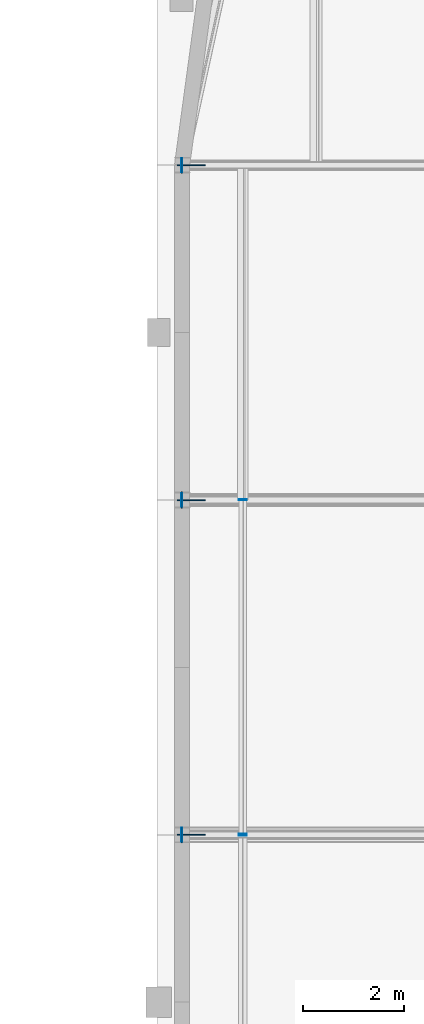
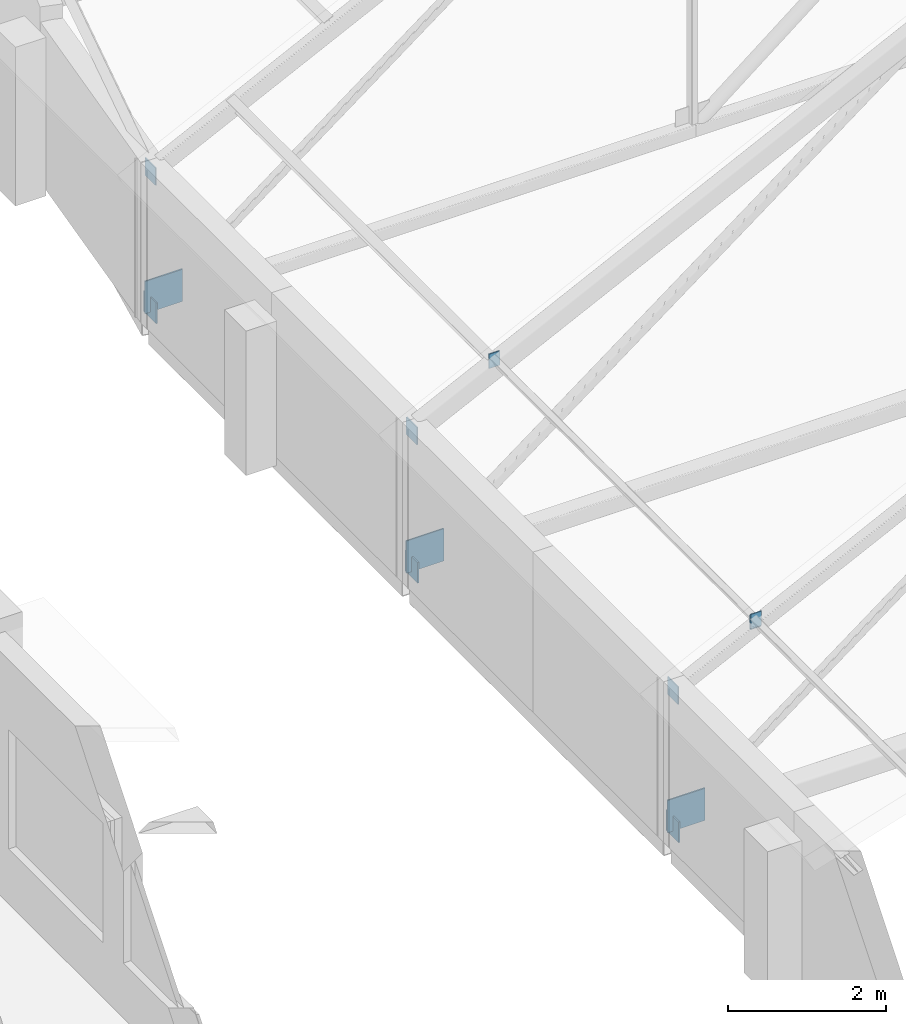
# One storey, part 49 of 78: 12 plates.
"""IFC4 building model written with IfcOpenShell, lengths in metres."""

import ifcopenshell
import ifcopenshell.guid

model = None  # the IFC model being written
_history = None  # IfcOwnerHistory: only IFC2X3 demands one
_inside = {}  # id of a spatial element -> (the spatial element, [elements in it])
_under = {}  # id of a project, library or spatial element -> (it, [spatial elements below it])
_declared = {}  # id of a project -> (the project, [libraries it declares])
_typed = {}  # id of a type object -> (the type object, [elements of that type])
_made_of = {}  # id of a material, layer set ... -> (it, [elements and type objects made of it])


def new_model(schema):
    """Start an empty IFC model of exactly this schema.

    Asked for "IFC4X3", IfcOpenShell would pick the latest addendum, in which some entities
    have other attributes; the version numbers below select the first issue.
    IFC2X3 requires an IfcOwnerHistory on every rooted entity: one is made here for all.
    """
    global model, _history
    if schema == "IFC4X3":
        model = ifcopenshell.file(schema_version=(4, 3, 0, 0))
    else:
        model = ifcopenshell.file(schema=schema)
    _inside.clear()
    _under.clear()
    _declared.clear()
    _typed.clear()
    _made_of.clear()
    _history = None
    if model.schema == "IFC2X3":
        org = make("IfcOrganization", Name="unknown")
        user = make(
            "IfcPersonAndOrganization",
            ThePerson=make("IfcPerson", FamilyName="unknown"),
            TheOrganization=org,
        )
        app = make(
            "IfcApplication",
            ApplicationDeveloper=org,
            Version="unknown",
            ApplicationFullName="unknown",
            ApplicationIdentifier="unknown",
        )
        _history = make(
            "IfcOwnerHistory",
            OwningUser=user,
            OwningApplication=app,
            ChangeAction="ADDED",
            CreationDate=0,
        )
    return model


def make(cls, **values):
    """One entity of the class cls with the attributes given. An attribute that is None is left unset."""
    return model.create_entity(
        cls, **{name: value for name, value in values.items() if value is not None}
    )


def rooted(cls, **values):
    """An entity with a GlobalId (a new one), such as an element, a storey or a relation."""
    return make(cls, GlobalId=ifcopenshell.guid.new(), OwnerHistory=_history, **values)


def si_unit(unit_type, name, prefix=None):
    """IfcSIUnit, for example si_unit("LENGTHUNIT", "METRE", prefix="MILLI")."""
    return make("IfcSIUnit", UnitType=unit_type, Prefix=prefix, Name=name)


def assignment(units):
    """IfcUnitAssignment: the units of a project."""
    return None if units is None else make("IfcUnitAssignment", Units=units)


def point(xyz):
    """IfcCartesianPoint."""
    return None if xyz is None else make("IfcCartesianPoint", Coordinates=xyz)


def direction(xyz):
    """IfcDirection."""
    return None if xyz is None else make("IfcDirection", DirectionRatios=xyz)


def frame(location, z_axis=None, x_axis=None):
    """IfcAxis2Placement3D, a coordinate frame: its origin and axes. An axis left out is left unset."""
    return make(
        "IfcAxis2Placement3D",
        Location=point(location),
        Axis=direction(z_axis),
        RefDirection=direction(x_axis),
    )


def frame_2d(location, x_axis=None):
    """IfcAxis2Placement2D, a coordinate frame in the plane: its origin and x axis."""
    return make(
        "IfcAxis2Placement2D", Location=point(location), RefDirection=direction(x_axis)
    )


def origin():
    """The frame at (0, 0, 0) with its axes left unset."""
    return frame((0.0, 0.0, 0.0))


def origin_2d():
    """The frame at (0, 0) in the plane with its x axis left unset."""
    return frame_2d((0.0, 0.0))


def place(relative_to, where):
    """IfcLocalPlacement: puts the frame where relative to a parent placement (None: the world)."""
    return make(
        "IfcLocalPlacement", PlacementRelTo=relative_to, RelativePlacement=where
    )


def context(
    kind, dimensions, precision=None, world=None, true_north=None, identifier=None
):
    """IfcGeometricRepresentationContext, for example the 3D "Model" context."""
    return make(
        "IfcGeometricRepresentationContext",
        ContextIdentifier=identifier,
        ContextType=kind,
        CoordinateSpaceDimension=dimensions,
        Precision=precision,
        WorldCoordinateSystem=world,
        TrueNorth=true_north,
    )


def subcontext(parent, identifier, kind, view, scale=None):
    """IfcGeometricRepresentationSubContext, for example "Body" below "Model"."""
    return make(
        "IfcGeometricRepresentationSubContext",
        ContextIdentifier=identifier,
        ContextType=kind,
        ParentContext=parent,
        TargetScale=scale,
        TargetView=view,
    )


def project(units=None, contexts=None):
    """IfcProject with its units and contexts."""
    return rooted(
        "IfcProject",
        Name="project",
        RepresentationContexts=contexts,
        UnitsInContext=assignment(units),
    )


def spatial(cls, under=None, at=None, **own):
    """A site, building, storey or space (cls), placed at a placement, below another one or the project."""
    s = rooted(cls, ObjectPlacement=at, **own)
    if under is not None:
        _under.setdefault(under.id(), (under, []))[1].append(s)
    return s


def profile(cls, at=None, kind="AREA", **sizes):
    """A parametric profile (cls). Its sizes go by their IFC names, for example OverallWidth=200.0."""
    return make(cls, ProfileType=kind, Position=at, **sizes)


def rectangle(**sizes):
    """IfcRectangleProfileDef."""
    return profile("IfcRectangleProfileDef", **sizes)


def extrude(swept, where, along, depth):
    """IfcExtrudedAreaSolid: the profile swept, set in the frame where, extruded along a direction by depth."""
    return make(
        "IfcExtrudedAreaSolid",
        SweptArea=swept,
        Position=where,
        ExtrudedDirection=direction(along),
        Depth=depth,
    )


def shape(context_of_items, identifier, shape_type, items):
    """IfcShapeRepresentation: the items that make up one representation, for example the "Body"."""
    return make(
        "IfcShapeRepresentation",
        ContextOfItems=context_of_items,
        RepresentationIdentifier=identifier,
        RepresentationType=shape_type,
        Items=items,
    )


def material(Name=None, Category=None):
    """IfcMaterial."""
    return make("IfcMaterial", Name=Name, Category=Category)


def layer(
    of_material, thickness, ventilated=None, Name=None, Category=None, Priority=None
):
    """IfcMaterialLayer: one layer of a wall or slab, of a material (None: an air gap)."""
    return make(
        "IfcMaterialLayer",
        Material=of_material,
        LayerThickness=thickness,
        IsVentilated=ventilated,
        Name=Name,
        Category=Category,
        Priority=Priority,
    )


def layer_set(layers, Name=None):
    """IfcMaterialLayerSet."""
    return make("IfcMaterialLayerSet", MaterialLayers=layers, LayerSetName=Name)


def made_of(thing, what):
    """Note that an element or type object is made of a material, layer set ...; save() writes the relation."""
    if what is not None:
        _made_of.setdefault(what.id(), (what, []))[1].append(thing)
    return thing


def type_object(cls, material=None, **own):
    """A type object (cls), such as IfcWallType, which elements share."""
    return made_of(rooted(cls, **own), material)


def element(
    cls,
    number,
    at=None,
    inside=None,
    cuts=None,
    type_object=None,
    material=None,
    context=None,
    identifier="Body",
    shape_type=None,
    held_by="IfcProductDefinitionShape",
    body=None,
    shapes=None,
    **own,
):
    """One element of the class cls, such as IfcWall. Its Tag is "e" and its number.

    at: its placement. inside: the storey or other place that contains it. cuts: it is an
    opening in that element (IfcRelVoidsElement). A single representation is given by context,
    identifier, shape_type and body (its items); several are given by shapes. held_by: the class
    of the entity that holds the representations. save() writes the other relations.
    """
    e = rooted(cls, Tag="e%d" % number, ObjectPlacement=at, **own)
    if body is not None:
        shapes = [shape(context, identifier, shape_type, body)]
    if shapes is not None:
        e.Representation = make(held_by, Representations=shapes)
    if inside is not None:
        _inside.setdefault(inside.id(), (inside, []))[1].append(e)
    if cuts is not None:
        rooted(
            "IfcRelVoidsElement", RelatingBuildingElement=cuts, RelatedOpeningElement=e
        )
    if type_object is not None:
        _typed.setdefault(type_object.id(), (type_object, []))[1].append(e)
    return made_of(e, material)


def aggregate(whole, parts):
    """IfcRelAggregates: a whole, such as a stair, and the parts it consists of."""
    return rooted("IfcRelAggregates", RelatingObject=whole, RelatedObjects=parts)


def save(model, path):
    """Write the relations noted so far, then the file.

    IfcRelAggregates (storeys below a building ...), IfcRelContainedInSpatialStructure (elements
    in a storey), IfcRelDefinesByType, IfcRelAssociatesMaterial and IfcRelDeclares: one each for
    every whole, place, type object, material and project.
    """
    for whole, parts in _under.values():
        aggregate(whole, parts)
    for where, things in _inside.values():
        rooted(
            "IfcRelContainedInSpatialStructure",
            RelatedElements=things,
            RelatingStructure=where,
        )
    for kind, things in _typed.values():
        rooted("IfcRelDefinesByType", RelatedObjects=things, RelatingType=kind)
    for what, things in _made_of.values():
        rooted("IfcRelAssociatesMaterial", RelatedObjects=things, RelatingMaterial=what)
    for by, libraries in _declared.values():
        rooted("IfcRelDeclares", RelatingContext=by, RelatedDefinitions=libraries)
    model.write(path)


model = new_model("IFC4")

# Units and contexts
model_context = context("Model", 3, precision=1e-05, world=origin(), true_north=direction((0.0, 1.0)))
body_context = subcontext(model_context, "Body", "Model", "MODEL_VIEW")
ifc_project = project(units=[si_unit("LENGTHUNIT", "METRE"), si_unit("AREAUNIT", "SQUARE_METRE"), si_unit("VOLUMEUNIT", "CUBIC_METRE"), si_unit("PLANEANGLEUNIT", "RADIAN"), si_unit("MASSUNIT", "GRAM", prefix="KILO")], contexts=[model_context])

# Site, building, storey
site_placement = place(None, origin())
site = spatial("IfcSite", under=ifc_project, at=site_placement, CompositionType="ELEMENT")
building_placement = place(site_placement, origin())
building = spatial("IfcBuilding", under=site, at=building_placement, Name="Kelanivale Promenade Academy", CompositionType="ELEMENT")
storey_placement = place(building_placement, frame((0.0, 0.0, 16.199951171875)))
storey = spatial("IfcBuildingStorey", under=building, at=storey_placement, Name="L04", CompositionType="ELEMENT", Elevation=16.199951171875)

# Plates
ifc_material = material(Name="Steel S355", Category="steel")
ifc_layer_1 = layer(ifc_material, 0.01611328125)
ifc_layer_set_1 = layer_set([ifc_layer_1], Name="Steel S355")
plate_type_1 = type_object("IfcPlateType", Name="TN-CP16 Plate 16mm", PredefinedType="USERDEFINED", material=ifc_layer_set_1)
for number, where, z_axis, x_axis, name in (
    (1, (123.342041015625, 52.885986328125, 2.166015625), (0.0, 0.0, 1.0), (-1.0, 0.0, 0.0), "ROOF TRUSS TN-1 hollow-section end cap plate"),
    (2, (123.342041015625, 59.513916015625, 2.166015625), (0.0, 0.0, 1.0), (-1.0, 0.0, 0.0), "ROOF TRUSS TN-1 hollow-section end cap plate"),
    (3, (123.342041015625, 66.14306640625, 2.166015625), (0.0, 0.0, 1.0), (-1.0, 0.0, 0.0), "ROOF TRUSS TN-1 hollow-section end cap plate"),
):
    element("IfcPlate", number, at=place(storey_placement, frame(where, z_axis=z_axis, x_axis=x_axis)), inside=storey, type_object=plate_type_1, Name=name, ObjectType="CAP PLATE", PredefinedType="USERDEFINED", context=body_context, shape_type="SweptSolid", body=[
        extrude(rectangle(XDim=0.01611328125, YDim=0.27001953125, at=origin_2d()), origin(), (0.0, 0.0, 1.0), 0.27001953125),
    ])
for number, where, z_axis, x_axis, name in (
    (4, (124.550048828125, 52.89404296875, 2.8408203125), (0.0, 0.0, 1.0), (0.0, 1.0, 0.0), "ROOF TRUSS TN-4 hollow-section end cap plate"),
    (5, (124.550048828125, 52.8779296875, 2.869140625), (0.0, 0.0, 1.0), (0.0, -1.0, 0.0), "ROOF TRUSS TN-4 hollow-section end cap plate"),
    (6, (124.550048828125, 59.52197265625, 2.869140625), (0.0, 0.0, 1.0), (0.0, 1.0, 0.0), "ROOF TRUSS TN-4 hollow-section end cap plate"),
):
    element("IfcPlate", number, at=place(storey_placement, frame(where, z_axis=z_axis, x_axis=x_axis)), inside=storey, type_object=plate_type_1, Name=name, ObjectType="CAP PLATE", PredefinedType="USERDEFINED", context=body_context, shape_type="SweptSolid", body=[
        extrude(rectangle(XDim=0.01611328125, YDim=0.159912109375, at=origin_2d()), origin(), (0.0, 0.0, 1.0), 0.219970703125),
    ])
ifc_layer_2 = layer(ifc_material, 0.02001953125)
ifc_layer_set_2 = layer_set([ifc_layer_2], Name="Steel S355")
plate_type_2 = type_object("IfcPlateType", Name="TN-CP20 Plate 20mm", PredefinedType="USERDEFINED", material=ifc_layer_set_2)
for number, where, z_axis, x_axis, name in (
    (7, (123.340087890625, 52.885986328125, 0.0400390625), (0.0, 0.0, 1.0), (-1.0, 0.0, 0.0), "ROOF TRUSS TN-1 hollow-section end cap plate"),
    (8, (123.340087890625, 59.513916015625, 0.0400390625), (0.0, 0.0, 1.0), (-1.0, 0.0, 0.0), "ROOF TRUSS TN-1 hollow-section end cap plate"),
    (9, (123.340087890625, 66.14306640625, 0.0400390625), (0.0, 0.0, 1.0), (-1.0, 0.0, 0.0), "ROOF TRUSS TN-1 hollow-section end cap plate"),
):
    element("IfcPlate", number, at=place(storey_placement, frame(where, z_axis=z_axis, x_axis=x_axis)), inside=storey, type_object=plate_type_2, Name=name, ObjectType="CAP PLATE", PredefinedType="USERDEFINED", context=body_context, shape_type="SweptSolid", body=[
        extrude(rectangle(XDim=0.02001953125, YDim=0.320068359375, at=origin_2d()), origin(), (0.0, 0.0, 1.0), 0.320068359375),
    ])
ifc_layer_3 = layer(ifc_material, 0.02001953125)
ifc_layer_set_3 = layer_set([ifc_layer_3], Name="Steel S355")
plate_type_3 = type_object("IfcPlateType", Name="TN-GP20 Plate 20mm", PredefinedType="USERDEFINED", material=ifc_layer_set_3)
for number, where, z_axis, x_axis, name in (
    (10, (123.530029296875, 52.885986328125, 0.130126953125), (0.0, 0.0, 1.0), (1.0, 0.0, 0.0), "ROOF TRUSS TN-1 welded node gusset plate"),
    (11, (123.530029296875, 59.513916015625, 0.130126953125), (0.0, 0.0, 1.0), (1.0, 0.0, 0.0), "ROOF TRUSS TN-1 welded node gusset plate"),
    (12, (123.530029296875, 66.14306640625, 0.130126953125), (0.0, 0.0, 1.0), (1.0, 0.0, 0.0), "ROOF TRUSS TN-1 welded node gusset plate"),
):
    element("IfcPlate", number, at=place(storey_placement, frame(where, z_axis=z_axis, x_axis=x_axis)), inside=storey, type_object=plate_type_3, Name=name, ObjectType="GUSSET PLATE", PredefinedType="USERDEFINED", context=body_context, shape_type="SweptSolid", body=[
        extrude(rectangle(XDim=0.550048828125, YDim=0.02001953125, at=origin_2d()), origin(), (0.0, 0.0, 1.0), 0.5),
    ])

save(model, "model.ifc")
